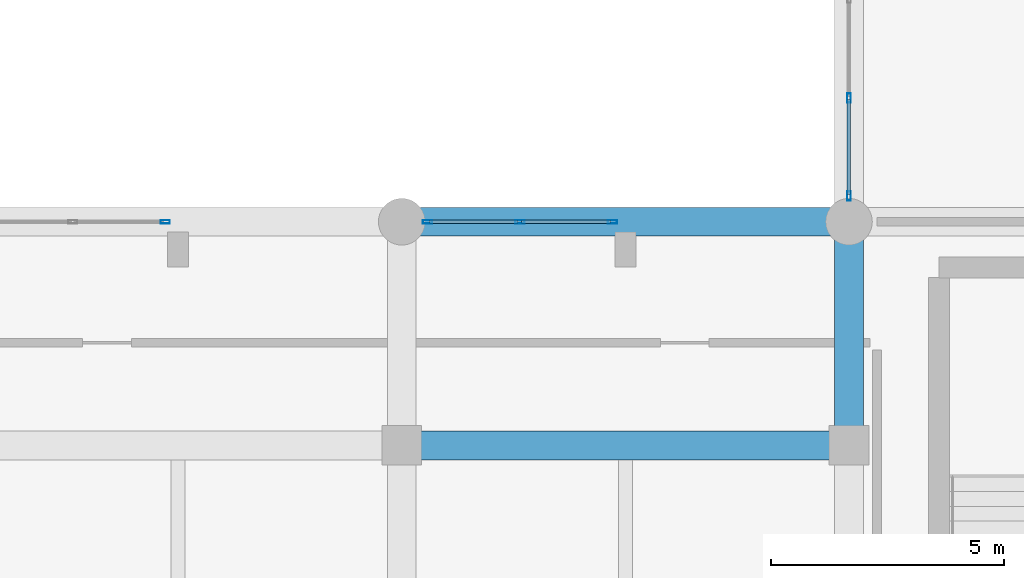
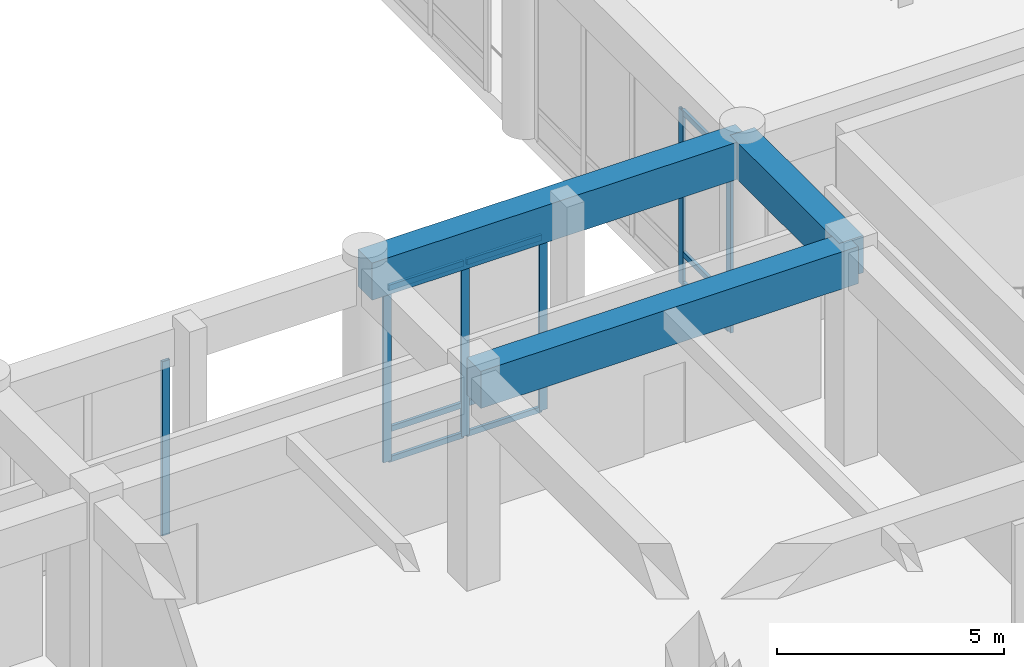
# One storey, part 24 of 87: 15 members, 3 beams, 3 elements without a shape of their own.
"""IFC4 building model written with IfcOpenShell, lengths in metres."""

from ifc_helpers import new_model, si_unit, direction, frame, origin, origin_2d, place, context, subcontext, project, spatial, rectangle, hollow_rectangle, extrude, material, layer, layer_set, material_profile, profile_set, type_object, element, aggregate, save


model = new_model("IFC4")

# Units and contexts
model_context = context("Model", 3, precision=1e-05, world=origin(), true_north=direction((0.0, 1.0)))
body_context = subcontext(model_context, "Body", "Model", "MODEL_VIEW")
ifc_project = project(units=[si_unit("LENGTHUNIT", "METRE"), si_unit("AREAUNIT", "SQUARE_METRE"), si_unit("VOLUMEUNIT", "CUBIC_METRE"), si_unit("PLANEANGLEUNIT", "RADIAN"), si_unit("MASSUNIT", "GRAM", prefix="KILO")], contexts=[model_context])

# Site, building, storey
site_placement = place(None, origin())
site = spatial("IfcSite", under=ifc_project, at=site_placement, CompositionType="ELEMENT")
building_placement = place(site_placement, origin())
building = spatial("IfcBuilding", under=site, at=building_placement, Name="Nakhvara Creek Congress Hotel", CompositionType="ELEMENT")
storey_placement = place(building_placement, origin())
storey = spatial("IfcBuildingStorey", under=building, at=storey_placement, Name="L00", CompositionType="ELEMENT", Elevation=0.0)

# Beams
ifc_material_1 = material(Name="Concrete C50/60", Category="concrete")
ifc_material_profile_1 = material_profile(ifc_material_1, rectangle(XDim=0.6201171875, YDim=1.0, at=origin_2d()), Name="RC-BM 620x1000", Category="LoadBearing")
ifc_profile_set_1 = profile_set([ifc_material_profile_1], Name="Concrete C50/60")
beam_type = type_object("IfcBeamType", Name="BM-RC-620X1000", PredefinedType="BEAM", material=ifc_profile_set_1)
for number, where, z_axis, x_axis, name in (
    (1, (115.199951171875, 38.39990234375, 5.199951171875), (1.0, 0.0, 0.0), (0.0, 1.0, 0.0), "Beam B16-L00-0876"),
    (2, (115.199951171875, 43.199951171875, 5.199951171875), (1.0, 0.0, 0.0), (0.0, 1.0, 0.0), "Beam B16-L00-0877"),
):
    element("IfcBeam", number, at=place(storey_placement, frame(where, z_axis=z_axis, x_axis=x_axis)), inside=storey, type_object=beam_type, Name=name, PredefinedType="BEAM", context=body_context, shape_type="SweptSolid", body=[
        extrude(rectangle(XDim=0.6201171875, YDim=1.0, at=origin_2d()), origin(), (0.0, 0.0, 1.0), 9.60009765625),
    ])
beam_placement = place(storey_placement, frame((124.800048828125, 38.39990234375, 5.199951171875), z_axis=(0.0, 1.0, 0.0), x_axis=(-1.0, 0.0, 0.0)))
element("IfcBeam", 3, at=beam_placement, inside=storey, type_object=beam_type, Name="Beam B16-L00-0890", PredefinedType="BEAM", context=body_context, shape_type="SweptSolid", body=[
    extrude(rectangle(XDim=0.6201171875, YDim=1.0, at=origin_2d()), origin(), (0.0, 0.0, 1.0), 4.800048828125),
])

# Curtain wall, member
ifc_material_2 = material(Name="Bronze-anodised aluminium AW-6063-T6 and double-silver low-E glass", Category="aluminium")
ifc_layer = layer(ifc_material_2, 0.199951171875)
ifc_layer_set = layer_set([ifc_layer], Name="Bronze-anodised aluminium AW-6063-T6 and double-silver low-E glass")
curtain_wall_type = type_object("IfcCurtainWallType", Name="CW-POD-STICK", PredefinedType="NOTDEFINED", material=ifc_layer_set)
curtain_wall_1_placement = place(storey_placement, origin())
curtain_wall_1 = element("IfcCurtainWall", 4, at=curtain_wall_1_placement, inside=storey, type_object=curtain_wall_type, Name="Curtain Wall CW007", PredefinedType="NOTDEFINED")
ifc_material_3 = material(Name="Bronze-anodised aluminium AW-6063-T6", Category="aluminium")
ifc_material_profile_2 = material_profile(ifc_material_3, hollow_rectangle(XDim=0.074951171875, YDim=0.199951171875, WallThickness=0.0048828125, at=origin_2d()), Name="ALU-MULL 75x200x5", Category="LoadBearing")
ifc_profile_set_2 = profile_set([ifc_material_profile_2], Name="Bronze-anodised aluminium AW-6063-T6")
member_type_1 = type_object("IfcMemberType", Name="CW-MULL-200", PredefinedType="MULLION", material=ifc_profile_set_2)
member_1_placement = place(storey_placement, frame((110.12255859375, 43.199951171875, 0.0), z_axis=(0.0, 0.0, 1.0), x_axis=(0.0, 1.0, 0.0)))
member_1 = element("IfcMember", 5, at=member_1_placement, type_object=member_type_1, Name="CW007 mullion 3", PredefinedType="MULLION", context=body_context, shape_type="SweptSolid", body=[
    extrude(hollow_rectangle(XDim=0.074951171875, YDim=0.199951171875, WallThickness=0.0048828125, at=origin_2d()), origin(), (0.0, 0.0, 1.0), 4.69189453125),
])
aggregate(curtain_wall_1, [member_1])

# Curtain wall, members
curtain_wall_2_placement = place(storey_placement, origin())
curtain_wall_2 = element("IfcCurtainWall", 6, at=curtain_wall_2_placement, inside=storey, type_object=curtain_wall_type, Name="Curtain Wall CW009", PredefinedType="NOTDEFINED")
member_2_placement = place(storey_placement, frame((115.75244140625, 43.199951171875, 0.0), z_axis=(0.0, 0.0, 1.0), x_axis=(0.0, 1.0, 0.0)))
member_2 = element("IfcMember", 7, at=member_2_placement, type_object=member_type_1, Name="CW009 mullion 1", PredefinedType="MULLION", context=body_context, shape_type="SweptSolid", body=[
    extrude(hollow_rectangle(XDim=0.074951171875, YDim=0.199951171875, WallThickness=0.0048828125, at=origin_2d()), origin(), (0.0, 0.0, 1.0), 4.69189453125),
])
member_3_placement = place(storey_placement, frame((117.737548828125, 43.199951171875, 0.0), z_axis=(0.0, 0.0, 1.0), x_axis=(0.0, 1.0, 0.0)))
member_3 = element("IfcMember", 8, at=member_3_placement, type_object=member_type_1, Name="CW009 mullion 2", PredefinedType="MULLION", context=body_context, shape_type="SweptSolid", body=[
    extrude(hollow_rectangle(XDim=0.074951171875, YDim=0.199951171875, WallThickness=0.0048828125, at=origin_2d()), origin(), (0.0, 0.0, 1.0), 4.69189453125),
])
member_4_placement = place(storey_placement, frame((119.722412109375, 43.199951171875, 0.0), z_axis=(0.0, 0.0, 1.0), x_axis=(0.0, 1.0, 0.0)))
member_4 = element("IfcMember", 9, at=member_4_placement, type_object=member_type_1, Name="CW009 mullion 3", PredefinedType="MULLION", context=body_context, shape_type="SweptSolid", body=[
    extrude(hollow_rectangle(XDim=0.074951171875, YDim=0.199951171875, WallThickness=0.0048828125, at=origin_2d()), origin(), (0.0, 0.0, 1.0), 4.69189453125),
])

curtain_wall_3_placement = place(storey_placement, origin())
curtain_wall_3 = element("IfcCurtainWall", 10, at=curtain_wall_3_placement, inside=storey, type_object=curtain_wall_type, Name="Curtain Wall CW012", PredefinedType="NOTDEFINED")
member_5_placement = place(storey_placement, frame((124.800048828125, 43.75244140625, 0.0), z_axis=(0.0, 0.0, 1.0), x_axis=(-1.0, 0.0, 0.0)))
member_5 = element("IfcMember", 11, at=member_5_placement, type_object=member_type_1, Name="CW012 mullion 1", PredefinedType="MULLION", context=body_context, shape_type="SweptSolid", body=[
    extrude(hollow_rectangle(XDim=0.074951171875, YDim=0.199951171875, WallThickness=0.0048828125, at=origin_2d()), origin(), (0.0, 0.0, 1.0), 4.69189453125),
])
member_6_placement = place(storey_placement, frame((124.800048828125, 45.857421875, 0.0), z_axis=(0.0, 0.0, 1.0), x_axis=(-1.0, 0.0, 0.0)))
member_6 = element("IfcMember", 12, at=member_6_placement, type_object=member_type_1, Name="CW012 mullion 2", PredefinedType="MULLION", context=body_context, shape_type="SweptSolid", body=[
    extrude(hollow_rectangle(XDim=0.074951171875, YDim=0.199951171875, WallThickness=0.0048828125, at=origin_2d()), origin(), (0.0, 0.0, 1.0), 4.69189453125),
])

# Member
ifc_material_profile_3 = material_profile(ifc_material_3, hollow_rectangle(XDim=0.074951171875, YDim=0.14990234375, WallThickness=0.00390625, at=origin_2d()), Name="ALU-TRAN 75x150x4", Category="LoadBearing")
ifc_profile_set_3 = profile_set([ifc_material_profile_3], Name="Bronze-anodised aluminium AW-6063-T6")
member_type_2 = type_object("IfcMemberType", Name="CW-TRAN-150", PredefinedType="USERDEFINED", material=ifc_profile_set_3)
member_7_placement = place(storey_placement, frame((115.7900390625, 43.199951171875, 0.03759765625), z_axis=(1.0, 0.0, 0.0), x_axis=(0.0, 1.0, 0.0)))
member_7 = element("IfcMember", 13, at=member_7_placement, type_object=member_type_2, Name="CW009 transom 1.1", ObjectType="TRANSOM", PredefinedType="USERDEFINED", context=body_context, shape_type="SweptSolid", body=[
    extrude(hollow_rectangle(XDim=0.074951171875, YDim=0.14990234375, WallThickness=0.00390625, at=origin_2d()), origin(), (0.0, 0.0, 1.0), 1.909912109375),
])

member_8_placement = place(storey_placement, frame((115.7900390625, 43.199951171875, 0.85009765625), z_axis=(1.0, 0.0, 0.0), x_axis=(0.0, 1.0, 0.0)))
member_8 = element("IfcMember", 14, at=member_8_placement, type_object=member_type_2, Name="CW009 transom 1.2", ObjectType="TRANSOM", PredefinedType="USERDEFINED", context=body_context, shape_type="SweptSolid", body=[
    extrude(hollow_rectangle(XDim=0.074951171875, YDim=0.14990234375, WallThickness=0.00390625, at=origin_2d()), origin(), (0.0, 0.0, 1.0), 1.909912109375),
])

member_9_placement = place(storey_placement, frame((115.7900390625, 43.199951171875, 4.654541015625), z_axis=(1.0, 0.0, 0.0), x_axis=(0.0, 1.0, 0.0)))
member_9 = element("IfcMember", 15, at=member_9_placement, type_object=member_type_2, Name="CW009 transom 1.3", ObjectType="TRANSOM", PredefinedType="USERDEFINED", context=body_context, shape_type="SweptSolid", body=[
    extrude(hollow_rectangle(XDim=0.074951171875, YDim=0.14990234375, WallThickness=0.00390625, at=origin_2d()), origin(), (0.0, 0.0, 1.0), 1.909912109375),
])

member_10_placement = place(storey_placement, frame((117.77490234375, 43.199951171875, 0.03759765625), z_axis=(1.0, 0.0, 0.0), x_axis=(0.0, 1.0, 0.0)))
member_10 = element("IfcMember", 16, at=member_10_placement, type_object=member_type_2, Name="CW009 transom 2.1", ObjectType="TRANSOM", PredefinedType="USERDEFINED", context=body_context, shape_type="SweptSolid", body=[
    extrude(hollow_rectangle(XDim=0.074951171875, YDim=0.14990234375, WallThickness=0.00390625, at=origin_2d()), origin(), (0.0, 0.0, 1.0), 1.91015625),
])

member_11_placement = place(storey_placement, frame((117.77490234375, 43.199951171875, 0.85009765625), z_axis=(1.0, 0.0, 0.0), x_axis=(0.0, 1.0, 0.0)))
member_11 = element("IfcMember", 17, at=member_11_placement, type_object=member_type_2, Name="CW009 transom 2.2", ObjectType="TRANSOM", PredefinedType="USERDEFINED", context=body_context, shape_type="SweptSolid", body=[
    extrude(hollow_rectangle(XDim=0.074951171875, YDim=0.14990234375, WallThickness=0.00390625, at=origin_2d()), origin(), (0.0, 0.0, 1.0), 1.91015625),
])

member_12_placement = place(storey_placement, frame((117.77490234375, 43.199951171875, 4.654541015625), z_axis=(1.0, 0.0, 0.0), x_axis=(0.0, 1.0, 0.0)))
member_12 = element("IfcMember", 18, at=member_12_placement, type_object=member_type_2, Name="CW009 transom 2.3", ObjectType="TRANSOM", PredefinedType="USERDEFINED", context=body_context, shape_type="SweptSolid", body=[
    extrude(hollow_rectangle(XDim=0.074951171875, YDim=0.14990234375, WallThickness=0.00390625, at=origin_2d()), origin(), (0.0, 0.0, 1.0), 1.91015625),
])

aggregate(curtain_wall_2, [member_2, member_3, member_4, member_7, member_8, member_9, member_10, member_11, member_12])

member_13_placement = place(storey_placement, frame((124.800048828125, 43.7900390625, 0.03759765625), z_axis=(0.0, 1.0, 0.0), x_axis=(-1.0, 0.0, 0.0)))
member_13 = element("IfcMember", 19, at=member_13_placement, type_object=member_type_2, Name="CW012 transom 1.1", ObjectType="TRANSOM", PredefinedType="USERDEFINED", context=body_context, shape_type="SweptSolid", body=[
    extrude(hollow_rectangle(XDim=0.074951171875, YDim=0.14990234375, WallThickness=0.00390625, at=origin_2d()), origin(), (0.0, 0.0, 1.0), 2.030029296875),
])

member_14_placement = place(storey_placement, frame((124.800048828125, 43.7900390625, 0.85009765625), z_axis=(0.0, 1.0, 0.0), x_axis=(-1.0, 0.0, 0.0)))
member_14 = element("IfcMember", 20, at=member_14_placement, type_object=member_type_2, Name="CW012 transom 1.2", ObjectType="TRANSOM", PredefinedType="USERDEFINED", context=body_context, shape_type="SweptSolid", body=[
    extrude(hollow_rectangle(XDim=0.074951171875, YDim=0.14990234375, WallThickness=0.00390625, at=origin_2d()), origin(), (0.0, 0.0, 1.0), 2.030029296875),
])

member_15_placement = place(storey_placement, frame((124.800048828125, 43.7900390625, 4.654541015625), z_axis=(0.0, 1.0, 0.0), x_axis=(-1.0, 0.0, 0.0)))
member_15 = element("IfcMember", 21, at=member_15_placement, type_object=member_type_2, Name="CW012 transom 1.3", ObjectType="TRANSOM", PredefinedType="USERDEFINED", context=body_context, shape_type="SweptSolid", body=[
    extrude(hollow_rectangle(XDim=0.074951171875, YDim=0.14990234375, WallThickness=0.00390625, at=origin_2d()), origin(), (0.0, 0.0, 1.0), 2.030029296875),
])

aggregate(curtain_wall_3, [member_5, member_6, member_13, member_14, member_15])

save(model, "model.ifc")
